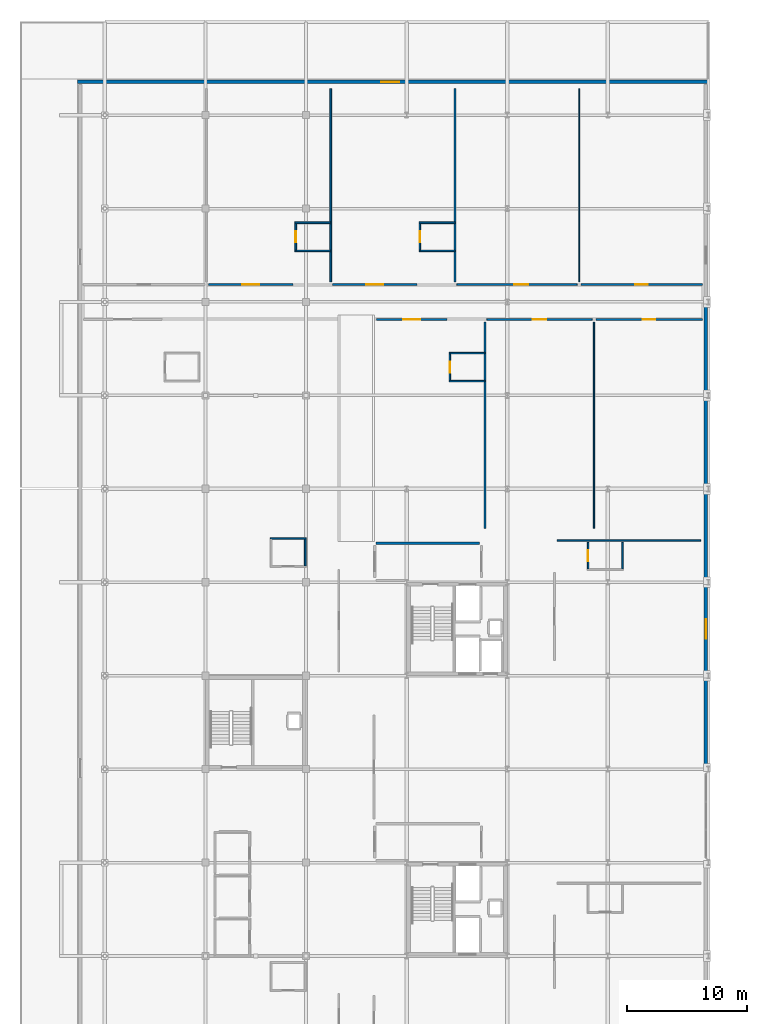
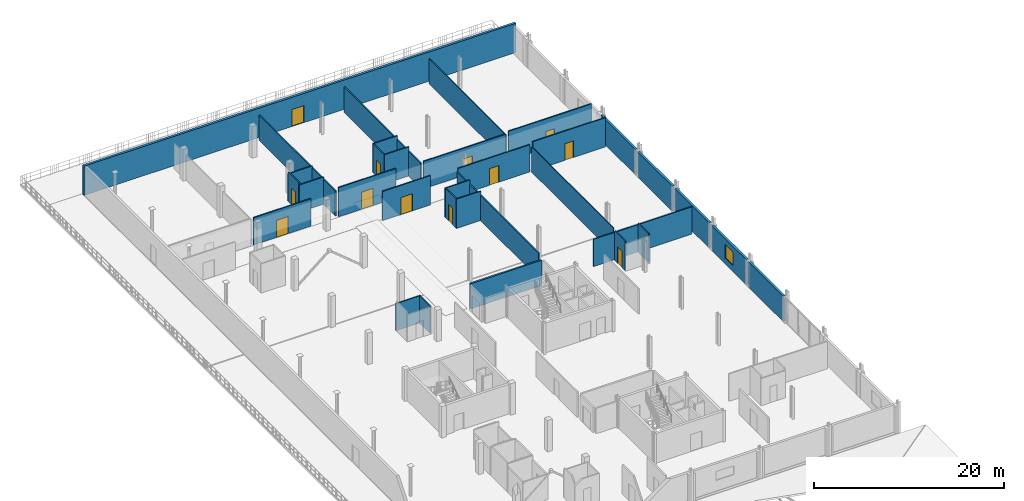
# One storey, part 18 of 25: 33 walls, 12 doors, 1 window, 13 openings.
"""IFC4 building model written with IfcOpenShell, lengths in metres."""

from ifc_helpers import new_model, si_unit, direction, frame, frame_2d, origin, place, context, subcontext, project, spatial, rectangle, extrude, material, layer, layer_set, type_object, element, fill, save


model = new_model("IFC4")

# Units and contexts
model_context = context("Model", 3, precision=1e-05, world=origin(), true_north=direction((0.0, 1.0)))
body_context = subcontext(model_context, "Body", "Model", "MODEL_VIEW")
ifc_project = project(units=[si_unit("LENGTHUNIT", "METRE"), si_unit("AREAUNIT", "SQUARE_METRE"), si_unit("VOLUMEUNIT", "CUBIC_METRE"), si_unit("PLANEANGLEUNIT", "RADIAN"), si_unit("MASSUNIT", "GRAM", prefix="KILO")], contexts=[model_context])

# Site, building, storey
site_placement = place(None, origin())
site = spatial("IfcSite", under=ifc_project, at=site_placement, CompositionType="ELEMENT")
building_placement = place(site_placement, origin())
building = spatial("IfcBuilding", under=site, at=building_placement, Name="Nabrawat Pavilion Hospital", CompositionType="ELEMENT")
storey_placement = place(building_placement, frame((0.0, 0.0, 22.949951171875)))
storey = spatial("IfcBuildingStorey", under=building, at=storey_placement, Name="L05", CompositionType="ELEMENT", Elevation=22.949951171875)

# Walls
ifc_material_1 = material(Name="Gypsum Plasterboard on Stud", Category="gypsum")
ifc_layer_1 = layer(ifc_material_1, 0.10009765625, Name="Gypsum Plasterboard on Stud")
ifc_layer_set_1 = layer_set([ifc_layer_1], Name="Gypsum Plasterboard on Stud")
wall_type_1 = type_object("IfcWallType", Name="Clean Utility Sub-Partition 100", PredefinedType="PARTITIONING", material=ifc_layer_set_1)
wall_1_placement = place(storey_placement, frame((183.646728515625, 82.489990234375, 0.0), z_axis=(0.0, 0.0, 1.0), x_axis=(0.0, 1.0, 0.0)))
element("IfcWall", 1, at=wall_1_placement, inside=storey, type_object=wall_type_1, Name="L05 Cytotoxic IV Preparation Cleanroom L05-03 Dividing Partition", PredefinedType="PARTITIONING", context=body_context, shape_type="SweptSolid", body=[
    extrude(rectangle(XDim=17.22509765625, YDim=0.10009765625, at=frame_2d((8.612548828125, 0.0))), origin(), (0.0, 0.0, 1.0), 3.25),
])
wall_2_placement = place(storey_placement, frame((182.39599609375, 103.0849609375, 0.0), z_axis=(0.0, 0.0, 1.0), x_axis=(0.0, 1.0, 0.0)))
element("IfcWall", 2, at=wall_2_placement, inside=storey, type_object=wall_type_1, Name="L05 Cytotoxic IV Preparation Cleanroom L05-08 Dividing Partition", PredefinedType="PARTITIONING", context=body_context, shape_type="SweptSolid", body=[
    extrude(rectangle(XDim=16.125, YDim=0.10009765625, at=frame_2d((8.0625, 0.0))), origin(), (0.0, 0.0, 1.0), 3.25),
])

# Wall, opening, door
ifc_material_2 = material(Name="Gypsum Fireboard on Steel Stud", Category="steel")
ifc_layer_2 = layer(ifc_material_2, 0.14990234375, Name="Gypsum Fireboard on Steel Stud")
ifc_layer_set_2 = layer_set([ifc_layer_2], Name="Gypsum Fireboard on Steel Stud")
wall_type_2 = type_object("IfcWallType", Name="Clinical Corridor Smoke-Barrier Wall 150", PredefinedType="PARTITIONING", material=ifc_layer_set_2)
wall_3_placement = place(storey_placement, frame((165.5, 99.93505859375, 0.0), z_axis=(0.0, 0.0, 1.0), x_axis=(1.0, 0.0, 0.0)))
wall_3 = element("IfcWall", 3, at=wall_3_placement, inside=storey, type_object=wall_type_2, Name="L05 Inpatient Ward Bone-Marrow Positive-Pressure Room L05-02 Front Partition", PredefinedType="PARTITIONING", context=body_context, shape_type="SweptSolid", body=[
    extrude(rectangle(XDim=5.86328125, YDim=0.14990234375, at=frame_2d((2.931640625, 0.0))), origin(), (0.0, 0.0, 1.0), 3.77001953125),
])
opening_1_placement = place(wall_3_placement, frame((2.231689453125, 0.0, 0.0)))
opening_1 = element("IfcOpeningElement", 4, at=opening_1_placement, cuts=wall_3, Name="Opening D-BED", PredefinedType="OPENING", context=body_context, shape_type="SweptSolid", body=[
    extrude(rectangle(XDim=1.39990234375, YDim=2.199951171875, at=frame_2d((0.699951171875, 1.10009765625))), frame((0.0, 0.0849609375, 0.0), z_axis=(0.0, -1.0, 0.0), x_axis=(1.0, 0.0, 0.0)), (0.0, 0.0, 1.0), 0.169921875),
])
ifc_material_3 = material(Name="Stainless-Clad Acoustic Timber and Vision Glass", Category="wood")
door_type_1 = type_object("IfcDoorType", Name="D-BED Inpatient Ward Leaf-and-a-Half Door 1400x2200", OperationType="NOTDEFINED", PredefinedType="DOOR", material=ifc_material_3)
door_1_placement = place(opening_1_placement, origin())
door_1 = element("IfcDoor", 5, at=door_1_placement, inside=storey, type_object=door_type_1, Name="Inpatient Ward Bone-Marrow Positive-Pressure Room L05-02 Door", OperationType="SINGLE_SWING_LEFT", OverallHeight=2.199951171875, OverallWidth=1.39990234375, PredefinedType="DOOR", context=body_context, shape_type="SweptSolid", body=[
    extrude(rectangle(XDim=1.39990234375, YDim=2.199951171875, at=frame_2d((0.699951171875, 1.10009765625))), frame((0.0, 0.02490234375, 0.0), z_axis=(0.0, -1.0, 0.0), x_axis=(1.0, 0.0, 0.0)), (0.0, 0.0, 1.0), 0.050048828125),
])
fill(opening_1, door_1)

wall_4_placement = place(storey_placement, frame((174.693359375, 99.93505859375, 0.0), z_axis=(0.0, 0.0, 1.0), x_axis=(1.0, 0.0, 0.0)))
wall_4 = element("IfcWall", 6, at=wall_4_placement, inside=storey, type_object=wall_type_2, Name="L05 Cytotoxic IV Preparation Cleanroom L05-03 Front Partition", PredefinedType="PARTITIONING", context=body_context, shape_type="SweptSolid", body=[
    extrude(rectangle(XDim=8.79345703125, YDim=0.14990234375, at=frame_2d((4.396728515625, 0.0))), origin(), (0.0, 0.0, 1.0), 3.510009765625),
])
opening_2_placement = place(wall_4_placement, frame((3.82177734375, 0.0, 0.0)))
opening_2 = element("IfcOpeningElement", 7, at=opening_2_placement, cuts=wall_4, Name="Opening D-PHM", PredefinedType="OPENING", context=body_context, shape_type="SweptSolid", body=[
    extrude(rectangle(XDim=1.14990234375, YDim=2.14990234375, at=frame_2d((0.574951171875, 1.074951171875))), frame((0.0, 0.0849609375, 0.0), z_axis=(0.0, -1.0, 0.0), x_axis=(1.0, 0.0, 0.0)), (0.0, 0.0, 1.0), 0.169921875),
])
door_type_2 = type_object("IfcDoorType", Name="Pharmacy Vault Security Fire Door 1150x2150", OperationType="NOTDEFINED", PredefinedType="DOOR", material=ifc_material_3)
door_2_placement = place(opening_2_placement, origin())
door_2 = element("IfcDoor", 8, at=door_2_placement, inside=storey, type_object=door_type_2, Name="Cytotoxic IV Preparation Cleanroom L05-03 Door", OperationType="SINGLE_SWING_LEFT", OverallHeight=2.14990234375, OverallWidth=1.14990234375, PredefinedType="DOOR", context=body_context, shape_type="SweptSolid", body=[
    extrude(rectangle(XDim=1.14990234375, YDim=2.14990234375, at=frame_2d((0.574951171875, 1.074951171875))), frame((0.0, 0.02490234375, 0.0), z_axis=(0.0, -1.0, 0.0), x_axis=(1.0, 0.0, 0.0)), (0.0, 0.0, 1.0), 0.050048828125),
])
fill(opening_2, door_2)

wall_5_placement = place(storey_placement, frame((183.806640625, 99.93505859375, 0.0), z_axis=(0.0, 0.0, 1.0), x_axis=(1.0, 0.0, 0.0)))
wall_5 = element("IfcWall", 9, at=wall_5_placement, inside=storey, type_object=wall_type_2, Name="L05 North Oncology Nurse Station L05-04 Front Partition", PredefinedType="PARTITIONING", context=body_context, shape_type="SweptSolid", body=[
    extrude(rectangle(XDim=8.873291015625, YDim=0.14990234375, at=frame_2d((4.4365234375, 0.0))), origin(), (0.0, 0.0, 1.0), 3.77001953125),
])
opening_3_placement = place(wall_5_placement, frame((3.91162109375, 0.0, 0.0)))
opening_3 = element("IfcOpeningElement", 10, at=opening_3_placement, cuts=wall_5, Name="Opening D-OPC-L", PredefinedType="OPENING", context=body_context, shape_type="SweptSolid", body=[
    extrude(rectangle(XDim=1.050048828125, YDim=2.14990234375, at=frame_2d((0.52490234375, 1.074951171875))), frame((0.0, 0.0849609375, 0.0), z_axis=(0.0, -1.0, 0.0), x_axis=(1.0, 0.0, 0.0)), (0.0, 0.0, 1.0), 0.169921875),
])
door_type_3 = type_object("IfcDoorType", Name="Outpatient Clinic Consultation Door L 1050x2150", OperationType="NOTDEFINED", PredefinedType="DOOR", material=ifc_material_3)
door_3_placement = place(opening_3_placement, origin())
door_3 = element("IfcDoor", 11, at=door_3_placement, inside=storey, type_object=door_type_3, Name="North Oncology Nurse Station L05-04 Door", OperationType="SINGLE_SWING_RIGHT", OverallHeight=2.14990234375, OverallWidth=1.050048828125, PredefinedType="DOOR", context=body_context, shape_type="SweptSolid", body=[
    extrude(rectangle(XDim=1.050048828125, YDim=2.14990234375, at=frame_2d((0.52490234375, 1.074951171875))), frame((0.0, 0.02490234375, 0.0), z_axis=(0.0, -1.0, 0.0), x_axis=(1.0, 0.0, 0.0)), (0.0, 0.0, 1.0), 0.050048828125),
])
fill(opening_3, door_3)

wall_6_placement = place(storey_placement, frame((151.464111328125, 102.864990234375, 0.0), z_axis=(0.0, 0.0, 1.0), x_axis=(1.0, 0.0, 0.0)))
wall_6 = element("IfcWall", 12, at=wall_6_placement, inside=storey, type_object=wall_type_2, Name="L05 Inpatient Ward Oncology Protective Bedroom L05-06 Front Partition", PredefinedType="PARTITIONING", context=body_context, shape_type="SweptSolid", body=[
    extrude(rectangle(XDim=7.033935546875, YDim=0.14990234375, at=frame_2d((3.51708984375, 0.0))), origin(), (0.0, 0.0, 1.0), 3.510009765625),
])
opening_4_placement = place(wall_6_placement, frame((2.81689453125, 0.0, 0.0)))
opening_4 = element("IfcOpeningElement", 13, at=opening_4_placement, cuts=wall_6, Name="Opening D-BED", PredefinedType="OPENING", context=body_context, shape_type="SweptSolid", body=[
    extrude(rectangle(XDim=1.39990234375, YDim=2.199951171875, at=frame_2d((0.699951171875, 1.10009765625))), frame((0.0, 0.0849609375, 0.0), z_axis=(0.0, -1.0, 0.0), x_axis=(1.0, 0.0, 0.0)), (0.0, 0.0, 1.0), 0.169921875),
])
door_4_placement = place(opening_4_placement, origin())
door_4 = element("IfcDoor", 14, at=door_4_placement, inside=storey, type_object=door_type_1, Name="Inpatient Ward Oncology Protective Bedroom L05-06 Door", OperationType="SINGLE_SWING_RIGHT", OverallHeight=2.199951171875, OverallWidth=1.39990234375, PredefinedType="DOOR", context=body_context, shape_type="SweptSolid", body=[
    extrude(rectangle(XDim=1.39990234375, YDim=2.199951171875, at=frame_2d((0.699951171875, 1.10009765625))), frame((0.0, 0.02490234375, 0.0), z_axis=(0.0, -1.0, 0.0), x_axis=(1.0, 0.0, 0.0)), (0.0, 0.0, 1.0), 0.050048828125),
])
fill(opening_4, door_4)

wall_7_placement = place(storey_placement, frame((161.827880859375, 102.864990234375, 0.0), z_axis=(0.0, 0.0, 1.0), x_axis=(1.0, 0.0, 0.0)))
wall_7 = element("IfcWall", 15, at=wall_7_placement, inside=storey, type_object=wall_type_2, Name="L05 Inpatient Ward Bone-Marrow Positive-Pressure Room L05-07 Front Partition", PredefinedType="PARTITIONING", context=body_context, shape_type="SweptSolid", body=[
    extrude(rectangle(XDim=7.0341796875, YDim=0.14990234375, at=frame_2d((3.51708984375, 0.0))), origin(), (0.0, 0.0, 1.0), 3.77001953125),
])
opening_5_placement = place(wall_7_placement, frame((2.81689453125, 0.0, 0.0)))
opening_5 = element("IfcOpeningElement", 16, at=opening_5_placement, cuts=wall_7, Name="Opening D-BED", PredefinedType="OPENING", context=body_context, shape_type="SweptSolid", body=[
    extrude(rectangle(XDim=1.39990234375, YDim=2.199951171875, at=frame_2d((0.699951171875, 1.10009765625))), frame((0.0, 0.0849609375, 0.0), z_axis=(0.0, -1.0, 0.0), x_axis=(1.0, 0.0, 0.0)), (0.0, 0.0, 1.0), 0.169921875),
])
door_5_placement = place(opening_5_placement, origin())
door_5 = element("IfcDoor", 17, at=door_5_placement, inside=storey, type_object=door_type_1, Name="Inpatient Ward Bone-Marrow Positive-Pressure Room L05-07 Door", OperationType="SINGLE_SWING_RIGHT", OverallHeight=2.199951171875, OverallWidth=1.39990234375, PredefinedType="DOOR", context=body_context, shape_type="SweptSolid", body=[
    extrude(rectangle(XDim=1.39990234375, YDim=2.199951171875, at=frame_2d((0.699951171875, 1.10009765625))), frame((0.0, 0.02490234375, 0.0), z_axis=(0.0, -1.0, 0.0), x_axis=(1.0, 0.0, 0.0)), (0.0, 0.0, 1.0), 0.050048828125),
])
fill(opening_5, door_5)

wall_8_placement = place(storey_placement, frame((172.19189453125, 102.864990234375, 0.0), z_axis=(0.0, 0.0, 1.0), x_axis=(1.0, 0.0, 0.0)))
wall_8 = element("IfcWall", 18, at=wall_8_placement, inside=storey, type_object=wall_type_2, Name="L05 Cytotoxic IV Preparation Cleanroom L05-08 Front Partition", PredefinedType="PARTITIONING", context=body_context, shape_type="SweptSolid", body=[
    extrude(rectangle(XDim=10.044189453125, YDim=0.14990234375, at=frame_2d((5.02197265625, 0.0))), origin(), (0.0, 0.0, 1.0), 3.510009765625),
])
opening_6_placement = place(wall_8_placement, frame((4.797119140625, 0.0, 0.0)))
opening_6 = element("IfcOpeningElement", 19, at=opening_6_placement, cuts=wall_8, Name="Opening D-PHM", PredefinedType="OPENING", context=body_context, shape_type="SweptSolid", body=[
    extrude(rectangle(XDim=1.14990234375, YDim=2.14990234375, at=frame_2d((0.574951171875, 1.074951171875))), frame((0.0, 0.0849609375, 0.0), z_axis=(0.0, -1.0, 0.0), x_axis=(1.0, 0.0, 0.0)), (0.0, 0.0, 1.0), 0.169921875),
])
door_6_placement = place(opening_6_placement, origin())
door_6 = element("IfcDoor", 20, at=door_6_placement, inside=storey, type_object=door_type_2, Name="Cytotoxic IV Preparation Cleanroom L05-08 Door", OperationType="SINGLE_SWING_RIGHT", OverallHeight=2.14990234375, OverallWidth=1.14990234375, PredefinedType="DOOR", context=body_context, shape_type="SweptSolid", body=[
    extrude(rectangle(XDim=1.14990234375, YDim=2.14990234375, at=frame_2d((0.574951171875, 1.074951171875))), frame((0.0, 0.02490234375, 0.0), z_axis=(0.0, -1.0, 0.0), x_axis=(1.0, 0.0, 0.0)), (0.0, 0.0, 1.0), 0.050048828125),
])
fill(opening_6, door_6)

wall_9_placement = place(storey_placement, frame((182.555908203125, 102.864990234375, 0.0), z_axis=(0.0, 0.0, 1.0), x_axis=(1.0, 0.0, 0.0)))
wall_9 = element("IfcWall", 21, at=wall_9_placement, inside=storey, type_object=wall_type_2, Name="L05 North Oncology Nurse Station L05-09 Front Partition", PredefinedType="PARTITIONING", context=body_context, shape_type="SweptSolid", body=[
    extrude(rectangle(XDim=10.1240234375, YDim=0.14990234375, at=frame_2d((5.06201171875, 0.0))), origin(), (0.0, 0.0, 1.0), 3.77001953125),
])
opening_7_placement = place(wall_9_placement, frame((4.537109375, 0.0, 0.0)))
opening_7 = element("IfcOpeningElement", 22, at=opening_7_placement, cuts=wall_9, Name="Opening D-OPC-R", PredefinedType="OPENING", context=body_context, shape_type="SweptSolid", body=[
    extrude(rectangle(XDim=1.050048828125, YDim=2.14990234375, at=frame_2d((0.52490234375, 1.074951171875))), frame((0.0, 0.0849609375, 0.0), z_axis=(0.0, -1.0, 0.0), x_axis=(1.0, 0.0, 0.0)), (0.0, 0.0, 1.0), 0.169921875),
])
door_type_4 = type_object("IfcDoorType", Name="Outpatient Clinic Consultation Door R 1050x2150", OperationType="NOTDEFINED", PredefinedType="DOOR", material=ifc_material_3)
door_7_placement = place(opening_7_placement, origin())
door_7 = element("IfcDoor", 23, at=door_7_placement, inside=storey, type_object=door_type_4, Name="North Oncology Nurse Station L05-09 Door", OperationType="SINGLE_SWING_LEFT", OverallHeight=2.14990234375, OverallWidth=1.050048828125, PredefinedType="DOOR", context=body_context, shape_type="SweptSolid", body=[
    extrude(rectangle(XDim=1.050048828125, YDim=2.14990234375, at=frame_2d((0.52490234375, 1.074951171875))), frame((0.0, 0.02490234375, 0.0), z_axis=(0.0, -1.0, 0.0), x_axis=(1.0, 0.0, 0.0)), (0.0, 0.0, 1.0), 0.050048828125),
])
fill(opening_7, door_7)

ifc_material_4 = material(Name="Cement Board on Steel Stud", Category="steel")
ifc_layer_3 = layer(ifc_material_4, 0.1298828125, Name="Cement Board on Steel Stud")
ifc_layer_set_3 = layer_set([ifc_layer_3], Name="Cement Board on Steel Stud")
wall_type_3 = type_object("IfcWallType", Name="En-Suite Moisture-Resistant Partition 130", PredefinedType="PARTITIONING", material=ifc_layer_set_3)
wall_10_placement = place(storey_placement, frame((171.603271484375, 94.85009765625, 0.0), z_axis=(0.0, 0.0, 1.0), x_axis=(0.0, 1.0, 0.0)))
wall_10 = element("IfcWall", 24, at=wall_10_placement, inside=storey, type_object=wall_type_3, Name="L05 En-Suite Bathroom WRD-BMT-02 Front Partition", PredefinedType="PARTITIONING", context=body_context, shape_type="SweptSolid", body=[
    extrude(rectangle(XDim=2.219970703125, YDim=0.1298828125, at=frame_2d((1.10986328125, 0.0))), origin(), (0.0, 0.0, 1.0), 3.77001953125),
])
opening_8_placement = place(wall_10_placement, frame((0.659912109375, 0.0, 0.0)))
opening_8 = element("IfcOpeningElement", 25, at=opening_8_placement, cuts=wall_10, Name="Opening D-ENS-L", PredefinedType="OPENING", context=body_context, shape_type="SweptSolid", body=[
    extrude(rectangle(XDim=0.89990234375, YDim=2.10009765625, at=frame_2d((0.449951171875, 1.050048828125))), frame((0.0, 0.074951171875, 0.0), z_axis=(0.0, -1.0, 0.0), x_axis=(1.0, 0.0, 0.0)), (0.0, 0.0, 1.0), 0.14990234375),
])
door_type_5 = type_object("IfcDoorType", Name="En-Suite Bathroom Outward Door L 900x2100", OperationType="NOTDEFINED", PredefinedType="DOOR", material=ifc_material_3)
door_8_placement = place(opening_8_placement, origin())
door_8 = element("IfcDoor", 26, at=door_8_placement, inside=storey, type_object=door_type_5, Name="En-Suite Bathroom WRD-BMT-02 Door", OperationType="SINGLE_SWING_RIGHT", OverallHeight=2.10009765625, OverallWidth=0.89990234375, PredefinedType="DOOR", context=body_context, shape_type="SweptSolid", body=[
    extrude(rectangle(XDim=0.89990234375, YDim=2.10009765625, at=frame_2d((0.449951171875, 1.050048828125))), frame((0.0, 0.02490234375, 0.0), z_axis=(0.0, -1.0, 0.0), x_axis=(1.0, 0.0, 0.0)), (0.0, 0.0, 1.0), 0.050048828125),
])
fill(opening_8, door_8)

# Walls
for number, where, z_axis, x_axis, name in (
    (27, (171.538330078125, 94.784912109375, 0.0), (0.0, 0.0, 1.0), (1.0, 0.0, 0.0), "L05 En-Suite Bathroom WRD-BMT-02 South Partition"),
    (28, (171.538330078125, 97.135009765625, 0.0), (0.0, 0.0, 1.0), (1.0, 0.0, 0.0), "L05 En-Suite Bathroom WRD-BMT-02 North Partition"),
):
    element("IfcWall", number, at=place(storey_placement, frame(where, z_axis=z_axis, x_axis=x_axis)), inside=storey, type_object=wall_type_3, Name=name, PredefinedType="PARTITIONING", context=body_context, shape_type="SweptSolid", body=[
        extrude(rectangle(XDim=2.97998046875, YDim=0.1298828125, at=frame_2d((1.489990234375, 0.0))), origin(), (0.0, 0.0, 1.0), 3.77001953125),
    ])

# Wall, opening, door
wall_11_placement = place(storey_placement, frame((158.738037109375, 105.72998046875, 0.0), z_axis=(0.0, 0.0, 1.0), x_axis=(0.0, 1.0, 0.0)))
wall_11 = element("IfcWall", 29, at=wall_11_placement, inside=storey, type_object=wall_type_3, Name="L05 En-Suite Bathroom WRD-ONC-06 Front Partition", PredefinedType="PARTITIONING", context=body_context, shape_type="SweptSolid", body=[
    extrude(rectangle(XDim=2.219970703125, YDim=0.1298828125, at=frame_2d((1.10986328125, 0.0))), origin(), (0.0, 0.0, 1.0), 3.77001953125),
])
opening_9_placement = place(wall_11_placement, frame((0.659912109375, 0.0, 0.0)))
opening_9 = element("IfcOpeningElement", 30, at=opening_9_placement, cuts=wall_11, Name="Opening D-ENS-R", PredefinedType="OPENING", context=body_context, shape_type="SweptSolid", body=[
    extrude(rectangle(XDim=0.89990234375, YDim=2.10009765625, at=frame_2d((0.449951171875, 1.050048828125))), frame((0.0, 0.074951171875, 0.0), z_axis=(0.0, -1.0, 0.0), x_axis=(1.0, 0.0, 0.0)), (0.0, 0.0, 1.0), 0.14990234375),
])
door_type_6 = type_object("IfcDoorType", Name="En-Suite Bathroom Outward Door R 900x2100", OperationType="NOTDEFINED", PredefinedType="DOOR", material=ifc_material_3)
door_9_placement = place(opening_9_placement, origin())
door_9 = element("IfcDoor", 31, at=door_9_placement, inside=storey, type_object=door_type_6, Name="En-Suite Bathroom WRD-ONC-06 Door", OperationType="SINGLE_SWING_LEFT", OverallHeight=2.10009765625, OverallWidth=0.89990234375, PredefinedType="DOOR", context=body_context, shape_type="SweptSolid", body=[
    extrude(rectangle(XDim=0.89990234375, YDim=2.10009765625, at=frame_2d((0.449951171875, 1.050048828125))), frame((0.0, 0.02490234375, 0.0), z_axis=(0.0, -1.0, 0.0), x_axis=(1.0, 0.0, 0.0)), (0.0, 0.0, 1.0), 0.050048828125),
])
fill(opening_9, door_9)

# Walls
for number, where, z_axis, x_axis, name in (
    (32, (158.673095703125, 105.6650390625, 0.0), (0.0, 0.0, 1.0), (1.0, 0.0, 0.0), "L05 En-Suite Bathroom WRD-ONC-06 South Partition"),
    (33, (158.673095703125, 108.014892578125, 0.0), (0.0, 0.0, 1.0), (1.0, 0.0, 0.0), "L05 En-Suite Bathroom WRD-ONC-06 North Partition"),
):
    element("IfcWall", number, at=place(storey_placement, frame(where, z_axis=z_axis, x_axis=x_axis)), inside=storey, type_object=wall_type_3, Name=name, PredefinedType="PARTITIONING", context=body_context, shape_type="SweptSolid", body=[
        extrude(rectangle(XDim=2.97998046875, YDim=0.1298828125, at=frame_2d((1.489990234375, 0.0))), origin(), (0.0, 0.0, 1.0), 3.510009765625),
    ])

# Wall, opening, door
wall_12_placement = place(storey_placement, frame((169.10205078125, 105.72998046875, 0.0), z_axis=(0.0, 0.0, 1.0), x_axis=(0.0, 1.0, 0.0)))
wall_12 = element("IfcWall", 34, at=wall_12_placement, inside=storey, type_object=wall_type_3, Name="L05 En-Suite Bathroom WRD-BMT-07 Front Partition", PredefinedType="PARTITIONING", context=body_context, shape_type="SweptSolid", body=[
    extrude(rectangle(XDim=2.219970703125, YDim=0.1298828125, at=frame_2d((1.10986328125, 0.0))), origin(), (0.0, 0.0, 1.0), 3.77001953125),
])
opening_10_placement = place(wall_12_placement, frame((0.659912109375, 0.0, 0.0)))
opening_10 = element("IfcOpeningElement", 35, at=opening_10_placement, cuts=wall_12, Name="Opening D-ENS-R", PredefinedType="OPENING", context=body_context, shape_type="SweptSolid", body=[
    extrude(rectangle(XDim=0.89990234375, YDim=2.10009765625, at=frame_2d((0.449951171875, 1.050048828125))), frame((0.0, 0.074951171875, 0.0), z_axis=(0.0, -1.0, 0.0), x_axis=(1.0, 0.0, 0.0)), (0.0, 0.0, 1.0), 0.14990234375),
])
door_10_placement = place(opening_10_placement, origin())
door_10 = element("IfcDoor", 36, at=door_10_placement, inside=storey, type_object=door_type_6, Name="En-Suite Bathroom WRD-BMT-07 Door", OperationType="SINGLE_SWING_LEFT", OverallHeight=2.10009765625, OverallWidth=0.89990234375, PredefinedType="DOOR", context=body_context, shape_type="SweptSolid", body=[
    extrude(rectangle(XDim=0.89990234375, YDim=2.10009765625, at=frame_2d((0.449951171875, 1.050048828125))), frame((0.0, 0.02490234375, 0.0), z_axis=(0.0, -1.0, 0.0), x_axis=(1.0, 0.0, 0.0)), (0.0, 0.0, 1.0), 0.050048828125),
])
fill(opening_10, door_10)

# Walls
for number, where, z_axis, x_axis, name in (
    (37, (169.037109375, 105.6650390625, 0.0), (0.0, 0.0, 1.0), (1.0, 0.0, 0.0), "L05 En-Suite Bathroom WRD-BMT-07 South Partition"),
    (38, (169.037109375, 108.014892578125, 0.0), (0.0, 0.0, 1.0), (1.0, 0.0, 0.0), "L05 En-Suite Bathroom WRD-BMT-07 North Partition"),
):
    element("IfcWall", number, at=place(storey_placement, frame(where, z_axis=z_axis, x_axis=x_axis)), inside=storey, type_object=wall_type_3, Name=name, PredefinedType="PARTITIONING", context=body_context, shape_type="SweptSolid", body=[
        extrude(rectangle(XDim=2.97998046875, YDim=0.1298828125, at=frame_2d((1.489990234375, 0.0))), origin(), (0.0, 0.0, 1.0), 3.77001953125),
    ])
wall_13_placement = place(storey_placement, frame((156.6201171875, 81.659912109375, 0.0), z_axis=(0.0, 0.0, 1.0), x_axis=(1.0, 0.0, 0.0)))
element("IfcWall", 39, at=wall_13_placement, inside=storey, type_object=wall_type_3, Name="L05 En-Suite Bathroom WRD-PAL-02 North Partition", PredefinedType="PARTITIONING", context=body_context, shape_type="SweptSolid", body=[
    extrude(rectangle(XDim=2.97998046875, YDim=0.1298828125, at=frame_2d((1.489990234375, 0.0))), origin(), (0.0, 0.0, 1.0), 3.510009765625),
])
wall_14_placement = place(storey_placement, frame((159.534912109375, 79.375, 0.0), z_axis=(0.0, 0.0, 1.0), x_axis=(0.0, 1.0, 0.0)))
element("IfcWall", 40, at=wall_14_placement, inside=storey, type_object=wall_type_3, Name="L05 En-Suite Bathroom WRD-PAL-02 East Partition", PredefinedType="PARTITIONING", context=body_context, shape_type="SweptSolid", body=[
    extrude(rectangle(XDim=2.219970703125, YDim=0.1298828125, at=frame_2d((1.10986328125, 0.0))), origin(), (0.0, 0.0, 1.0), 3.510009765625),
])

# Wall, opening, door
wall_15_placement = place(storey_placement, frame((183.14990234375, 79.114990234375, 0.0), z_axis=(0.0, 0.0, 1.0), x_axis=(0.0, 1.0, 0.0)))
wall_15 = element("IfcWall", 41, at=wall_15_placement, inside=storey, type_object=wall_type_3, Name="L05 En-Suite Bathroom WRD-ONC-E4 West Partition", PredefinedType="PARTITIONING", context=body_context, shape_type="SweptSolid", body=[
    extrude(rectangle(XDim=2.219970703125, YDim=0.1298828125, at=frame_2d((1.10986328125, 0.0))), origin(), (0.0, 0.0, 1.0), 3.77001953125),
])
opening_11_placement = place(wall_15_placement, frame((0.659912109375, 0.0, 0.0)))
opening_11 = element("IfcOpeningElement", 42, at=opening_11_placement, cuts=wall_15, Name="Opening D-ENS-L", PredefinedType="OPENING", context=body_context, shape_type="SweptSolid", body=[
    extrude(rectangle(XDim=0.89990234375, YDim=2.10009765625, at=frame_2d((0.449951171875, 1.050048828125))), frame((0.0, 0.074951171875, 0.0), z_axis=(0.0, -1.0, 0.0), x_axis=(1.0, 0.0, 0.0)), (0.0, 0.0, 1.0), 0.14990234375),
])
door_11_placement = place(opening_11_placement, origin())
door_11 = element("IfcDoor", 43, at=door_11_placement, inside=storey, type_object=door_type_5, Name="En-Suite Bathroom WRD-ONC-E4 Door", OperationType="SINGLE_SWING_LEFT", OverallHeight=2.10009765625, OverallWidth=0.89990234375, PredefinedType="DOOR", context=body_context, shape_type="SweptSolid", body=[
    extrude(rectangle(XDim=0.89990234375, YDim=2.10009765625, at=frame_2d((0.449951171875, 1.050048828125))), frame((0.0, 0.02490234375, 0.0), z_axis=(0.0, -1.0, 0.0), x_axis=(1.0, 0.0, 0.0)), (0.0, 0.0, 1.0), 0.050048828125),
])
fill(opening_11, door_11)

# Walls
wall_16_placement = place(storey_placement, frame((186.0, 79.114990234375, 0.0), z_axis=(0.0, 0.0, 1.0), x_axis=(0.0, 1.0, 0.0)))
element("IfcWall", 44, at=wall_16_placement, inside=storey, type_object=wall_type_3, Name="L05 En-Suite Bathroom WRD-ONC-E4 East Partition", PredefinedType="PARTITIONING", context=body_context, shape_type="SweptSolid", body=[
    extrude(rectangle(XDim=2.219970703125, YDim=0.1298828125, at=frame_2d((1.10986328125, 0.0))), origin(), (0.0, 0.0, 1.0), 3.77001953125),
])
ifc_material_5 = material(Name="Concrete C35/45", Category="concrete")
ifc_layer_4 = layer(ifc_material_5, 0.199951171875, Name="Concrete C35/45")
ifc_layer_set_4 = layer_set([ifc_layer_4], Name="Concrete C35/45")
wall_type_4 = type_object("IfcWallType", Name="Firefighting Lobby Compartment Wall 200", PredefinedType="PARTITIONING", material=ifc_layer_set_4)
wall_17_placement = place(storey_placement, frame((165.43994140625, 81.25, 0.0), z_axis=(0.0, 0.0, 1.0), x_axis=(1.0, 0.0, 0.0)))
element("IfcWall", 45, at=wall_17_placement, inside=storey, type_object=wall_type_4, Name="L05 CORE-6 Firefighting Lobby North Compartment Wall", PredefinedType="PARTITIONING", context=body_context, shape_type="SweptSolid", body=[
    extrude(rectangle(XDim=8.66015625, YDim=0.199951171875, at=frame_2d((4.330078125, 0.0))), origin(), (0.0, 0.0, 1.0), 3.25),
])
ifc_material_6 = material(Name="Acoustic Gypsum on Steel Stud", Category="steel")
ifc_layer_5 = layer(ifc_material_6, 0.139892578125, Name="Acoustic Gypsum on Steel Stud")
ifc_layer_set_5 = layer_set([ifc_layer_5], Name="Acoustic Gypsum on Steel Stud")
wall_type_5 = type_object("IfcWallType", Name="Inpatient Ward Acoustic Partition 140", PredefinedType="PARTITIONING", material=ifc_layer_set_5)
wall_18_placement = place(storey_placement, frame((174.533203125, 82.489990234375, 0.0), z_axis=(0.0, 0.0, 1.0), x_axis=(0.0, 1.0, 0.0)))
element("IfcWall", 46, at=wall_18_placement, inside=storey, type_object=wall_type_5, Name="L05 Inpatient Ward Bone-Marrow Positive-Pressure Room L05-02 Dividing Partition", PredefinedType="PARTITIONING", context=body_context, shape_type="SweptSolid", body=[
    extrude(rectangle(XDim=17.22509765625, YDim=0.139892578125, at=frame_2d((8.612548828125, 0.0))), origin(), (0.0, 0.0, 1.0), 3.25),
])
for number, where, z_axis, x_axis, name in (
    (47, (161.66796875, 103.0849609375, 0.0), (0.0, 0.0, 1.0), (0.0, 1.0, 0.0), "L05 Inpatient Ward Oncology Protective Bedroom L05-06 Dividing Partition"),
    (48, (172.031982421875, 103.0849609375, 0.0), (0.0, 0.0, 1.0), (0.0, 1.0, 0.0), "L05 Inpatient Ward Bone-Marrow Positive-Pressure Room L05-07 Dividing Partition"),
):
    element("IfcWall", number, at=place(storey_placement, frame(where, z_axis=z_axis, x_axis=x_axis)), inside=storey, type_object=wall_type_5, Name=name, PredefinedType="PARTITIONING", context=body_context, shape_type="SweptSolid", body=[
        extrude(rectangle(XDim=16.125, YDim=0.139892578125, at=frame_2d((8.0625, 0.0))), origin(), (0.0, 0.0, 1.0), 3.25),
    ])
wall_19_placement = place(storey_placement, frame((180.570068359375, 81.47998046875, 0.0), z_axis=(0.0, 0.0, 1.0), x_axis=(1.0, 0.0, 0.0)))
element("IfcWall", 49, at=wall_19_placement, inside=storey, type_object=wall_type_5, Name="L05 Inpatient Ward Oncology Boulevard Suite L05-E4 Dividing Partition", PredefinedType="PARTITIONING", context=body_context, shape_type="SweptSolid", body=[
    extrude(rectangle(XDim=11.97998046875, YDim=0.139892578125, at=frame_2d((5.989990234375, 0.0))), origin(), (0.0, 0.0, 1.0), 3.510009765625),
])

# Wall, opening, door
ifc_material_7 = material(Name="Precast concrete C40/50", Category="concrete")
ifc_layer_6 = layer(ifc_material_7, 0.280029296875, Name="Precast concrete C40/50")
ifc_layer_set_6 = layer_set([ifc_layer_6], Name="Precast concrete C40/50")
wall_type_6 = type_object("IfcWallType", Name="Insulated Precast Facade Wall 280", PredefinedType="SOLIDWALL", material=ifc_layer_set_6)
wall_20_placement = place(storey_placement, frame((140.52001953125, 119.780029296875, 0.0), z_axis=(0.0, 0.0, 1.0), x_axis=(1.0, 0.0, 0.0)))
wall_20 = element("IfcWall", 50, at=wall_20_placement, inside=storey, type_object=wall_type_6, Name="L05 Insulated Precast Facade Wall 280 389", PredefinedType="SOLIDWALL", context=body_context, shape_type="SweptSolid", body=[
    extrude(rectangle(XDim=52.679931640625, YDim=0.280029296875, at=frame_2d((26.33984375, 0.0))), origin(), (0.0, 0.0, 1.0), 3.77001953125),
])
opening_12_placement = place(wall_20_placement, frame((25.340087890625, 0.0, 0.0)))
opening_12 = element("IfcOpeningElement", 51, at=opening_12_placement, cuts=wall_20, Name="Opening ED-TER-150", PredefinedType="OPENING", context=body_context, shape_type="SweptSolid", body=[
    extrude(rectangle(XDim=1.5, YDim=2.199951171875, at=frame_2d((0.75, 1.10009765625))), frame((0.0, 0.14990234375, 0.0), z_axis=(0.0, -1.0, 0.0), x_axis=(1.0, 0.0, 0.0)), (0.0, 0.0, 1.0), 0.300048828125),
])
ifc_material_8 = material(Name="Powder-Coated Galvanised Steel and Safety Glass", Category="steel")
door_type_7 = type_object("IfcDoorType", Name="Clinical Recovery Terrace Double Door 1500x2200", OperationType="NOTDEFINED", PredefinedType="DOOR", material=ifc_material_8)
door_12_placement = place(opening_12_placement, origin())
door_12 = element("IfcDoor", 52, at=door_12_placement, inside=storey, type_object=door_type_7, Name="L05 Clinical Recovery Terrace Door T_L05_WARD_NORTH", OperationType="DOUBLE_DOOR_SINGLE_SWING", OverallHeight=2.199951171875, OverallWidth=1.5, PredefinedType="DOOR", context=body_context, shape_type="SweptSolid", body=[
    extrude(rectangle(XDim=1.5, YDim=2.199951171875, at=frame_2d((0.75, 1.10009765625))), frame((0.0, 0.02490234375, 0.0), z_axis=(0.0, -1.0, 0.0), x_axis=(1.0, 0.0, 0.0)), (0.0, 0.0, 1.0), 0.050048828125),
])
fill(opening_12, door_12)

# Wall
wall_21_placement = place(storey_placement, frame((192.97998046875, 62.675048828125, 0.0), z_axis=(0.0, 0.0, 1.0), x_axis=(0.0, 1.0, 0.0)))
element("IfcWall", 53, at=wall_21_placement, inside=storey, type_object=wall_type_6, Name="L05 Insulated Precast Facade Wall 280 392", PredefinedType="SOLIDWALL", context=body_context, shape_type="SweptSolid", body=[
    extrude(rectangle(XDim=7.25, YDim=0.280029296875, at=frame_2d((3.625, 0.0))), origin(), (0.0, 0.0, 1.0), 3.25),
])

# Wall, opening, window
wall_22_placement = place(storey_placement, frame((192.97998046875, 70.47509765625, 0.0), z_axis=(0.0, 0.0, 1.0), x_axis=(0.0, 1.0, 0.0)))
wall_22 = element("IfcWall", 54, at=wall_22_placement, inside=storey, type_object=wall_type_6, Name="L05 Insulated Precast Facade Wall 280 393", PredefinedType="SOLIDWALL", context=body_context, shape_type="SweptSolid", body=[
    extrude(rectangle(XDim=7.25, YDim=0.280029296875, at=frame_2d((3.625, 0.0))), origin(), (0.0, 0.0, 1.0), 3.25),
])
opening_13_placement = place(wall_22_placement, frame((2.800048828125, 0.0, 0.75)))
opening_13 = element("IfcOpeningElement", 55, at=opening_13_placement, cuts=wall_22, Name="Opening WN-13", PredefinedType="OPENING", context=body_context, shape_type="SweptSolid", body=[
    extrude(rectangle(XDim=1.64990234375, YDim=1.75, at=frame_2d((0.824951171875, 0.875))), frame((0.0, 0.14990234375, 0.0), z_axis=(0.0, -1.0, 0.0), x_axis=(1.0, 0.0, 0.0)), (0.0, 0.0, 1.0), 0.300048828125),
])
ifc_material_9 = material(Name="Thermally Broken Aluminium and Solar Glass", Category="aluminium")
window_type = type_object("IfcWindowType", Name="Paediatric Ward Low-Sill Window 1650x1750", PartitioningType="SINGLE_PANEL", PredefinedType="WINDOW", material=ifc_material_9)
window_placement = place(opening_13_placement, origin())
window = element("IfcWindow", 56, at=window_placement, inside=storey, type_object=window_type, Name="L05 Paediatric Ward Low-Sill Window 1650x1750 141", OverallHeight=1.75, OverallWidth=1.64990234375, PartitioningType="SINGLE_PANEL", PredefinedType="WINDOW", context=body_context, shape_type="SweptSolid", body=[
    extrude(rectangle(XDim=1.64990234375, YDim=1.75, at=frame_2d((0.824951171875, 0.875))), frame((0.0, 0.030029296875, 0.0), z_axis=(0.0, -1.0, 0.0), x_axis=(1.0, 0.0, 0.0)), (0.0, 0.0, 1.0), 0.06005859375),
])
fill(opening_13, window)

# Walls
for number, where, z_axis, x_axis, name in (
    (57, (192.97998046875, 78.27490234375, 0.0), (0.0, 0.0, 1.0), (0.0, 1.0, 0.0), "L05 Insulated Precast Facade Wall 280 394"),
    (58, (192.97998046875, 86.074951171875, 0.0), (0.0, 0.0, 1.0), (0.0, 1.0, 0.0), "L05 Insulated Precast Facade Wall 280 395"),
    (59, (192.97998046875, 93.875, 0.0), (0.0, 0.0, 1.0), (0.0, 1.0, 0.0), "L05 Insulated Precast Facade Wall 280 396"),
):
    element("IfcWall", number, at=place(storey_placement, frame(where, z_axis=z_axis, x_axis=x_axis)), inside=storey, type_object=wall_type_6, Name=name, PredefinedType="SOLIDWALL", context=body_context, shape_type="SweptSolid", body=[
        extrude(rectangle(XDim=7.25, YDim=0.280029296875, at=frame_2d((3.625, 0.0))), origin(), (0.0, 0.0, 1.0), 3.25),
    ])

save(model, "model.ifc")
